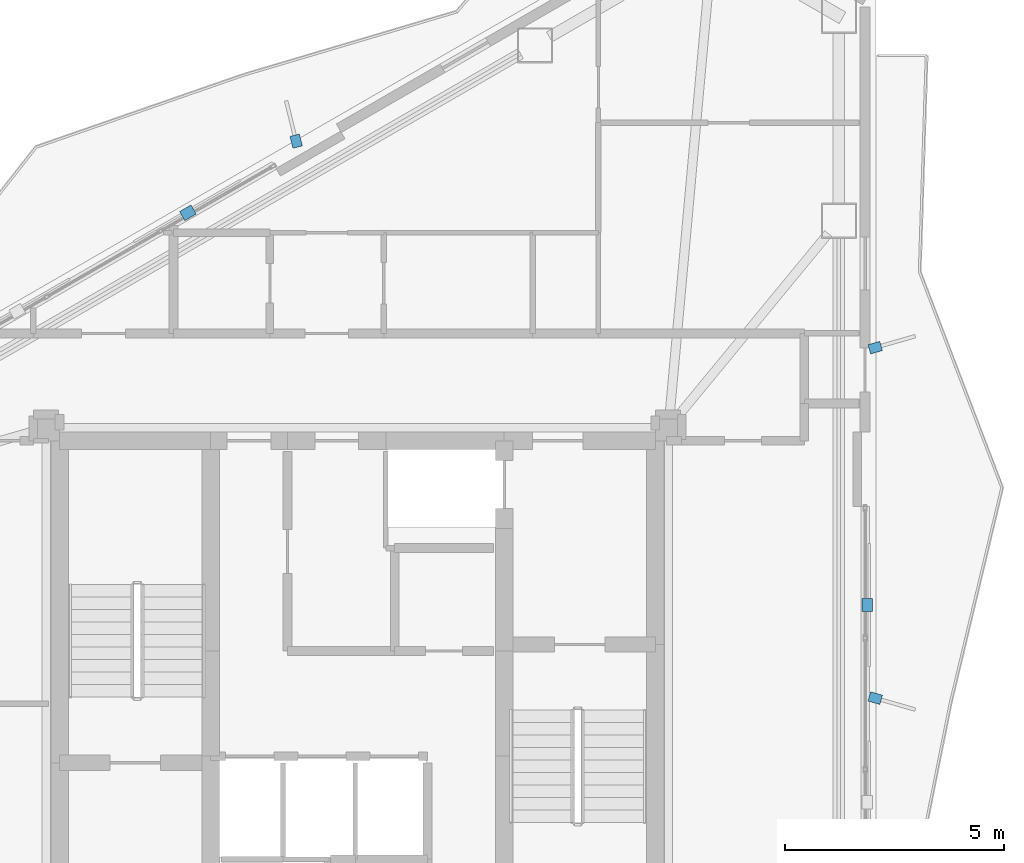
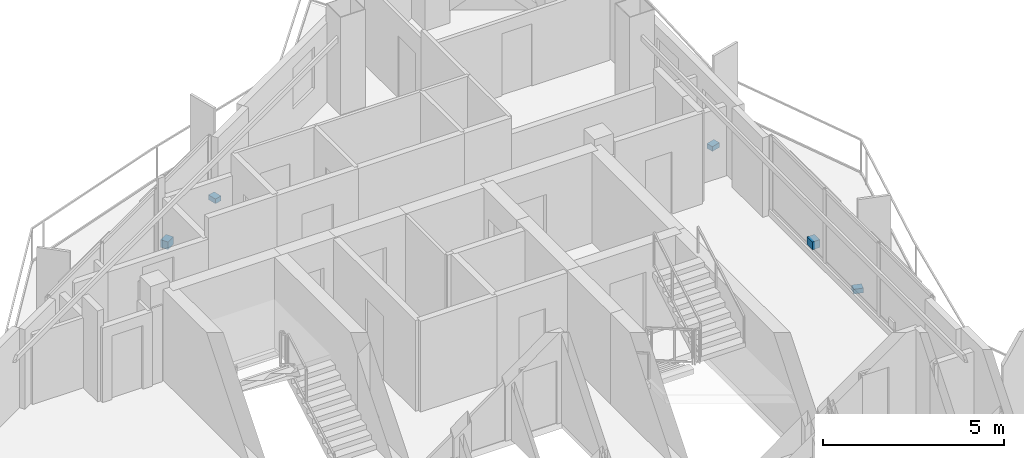
# One storey, part 20 of 22: 5 discrete accessories.
"""IFC4 building model written with IfcOpenShell, lengths in metres."""

from ifc_helpers import new_model, si_unit, direction, frame, origin, origin_2d, place, context, subcontext, project, spatial, rectangle, extrude, material, layer, layer_set, type_object, element, save


model = new_model("IFC4")

# Units and contexts
model_context = context("Model", 3, precision=1e-05, world=origin(), true_north=direction((0.0, 1.0)))
body_context = subcontext(model_context, "Body", "Model", "MODEL_VIEW")
ifc_project = project(units=[si_unit("LENGTHUNIT", "METRE"), si_unit("AREAUNIT", "SQUARE_METRE"), si_unit("VOLUMEUNIT", "CUBIC_METRE"), si_unit("PLANEANGLEUNIT", "RADIAN"), si_unit("MASSUNIT", "GRAM", prefix="KILO")], contexts=[model_context])

# Site, building, storey
site_placement = place(None, origin())
site = spatial("IfcSite", under=ifc_project, at=site_placement, CompositionType="ELEMENT")
building_placement = place(site_placement, origin())
building = spatial("IfcBuilding", under=site, at=building_placement, Name="Mersakhor Tower and Convention Hall", CompositionType="ELEMENT")
storey_placement = place(building_placement, frame((0.0, 0.0, 208.5)))
storey = spatial("IfcBuildingStorey", under=building, at=storey_placement, Name="L58", CompositionType="ELEMENT", Elevation=208.5)

# Discrete accessories
ifc_material = material(Name="Galvanised steel bracket", Category="steel")
ifc_layer = layer(ifc_material, 0.02001953125)
ifc_layer_set = layer_set([ifc_layer], Name="Galvanised steel bracket")
discrete_accessory_type = type_object("IfcDiscreteAccessoryType", Name="ACC-BRK-STL", PredefinedType="BRACKET", material=ifc_layer_set)
discrete_accessory_1_placement = place(storey_placement, frame((25.129150390625, 37.9541015625, 0.2900390625), z_axis=(0.0, 0.0, 1.0), x_axis=(0.866025403784, 0.5, 0.0)))
element("IfcDiscreteAccessory", 1, at=discrete_accessory_1_placement, inside=storey, type_object=discrete_accessory_type, Name="L58 Solar Screen Outrigger Bracket BRK-1-2", PredefinedType="BRACKET", context=body_context, shape_type="SweptSolid", body=[
    extrude(rectangle(XDim=0.300048828125, YDim=0.239990234375, at=origin_2d()), origin(), (0.0, 0.0, 1.0), 0.260009765625),
])
discrete_accessory_2_placement = place(storey_placement, frame((27.600341796875, 39.588623046875, -0.02001953125), z_axis=(0.0, 0.0, 1.0), x_axis=(-0.2419218956, 0.970295726276, 0.0)))
element("IfcDiscreteAccessory", 2, at=discrete_accessory_2_placement, inside=storey, type_object=discrete_accessory_type, Name="L58 Facade Fin Base Cleat Bracket FBRK-1-3", PredefinedType="BRACKET", context=body_context, shape_type="SweptSolid", body=[
    extrude(rectangle(XDim=0.280029296875, YDim=0.219970703125, at=origin_2d()), origin(), (0.0, 0.0, 1.0), 0.159912109375),
])
discrete_accessory_3_placement = place(storey_placement, frame((40.638427734375, 28.999755859375, 0.2900390625), z_axis=(0.0, 0.0, 1.0), x_axis=(0.0, -1.0, 0.0)))
element("IfcDiscreteAccessory", 3, at=discrete_accessory_3_placement, inside=storey, type_object=discrete_accessory_type, Name="L58 Solar Screen Outrigger Bracket BRK-2-1", PredefinedType="BRACKET", context=body_context, shape_type="SweptSolid", body=[
    extrude(rectangle(XDim=0.300048828125, YDim=0.239990234375, at=origin_2d()), origin(), (0.0, 0.0, 1.0), 0.260009765625),
])
for number, where, z_axis, x_axis, name in (
    (4, (40.818359375, 34.8759765625, -0.02001953125), (0.0, 0.0, 1.0), (0.961261695938, 0.275637355817, 0.0), "L58 Facade Fin Base Cleat Bracket FBRK-2-1"),
    (5, (40.818359375, 26.8759765625, -0.02001953125), (0.0, 0.0, 1.0), (0.961261695938, -0.275637355817, 0.0), "L58 Facade Fin Base Cleat Bracket FBRK-2-2"),
):
    element("IfcDiscreteAccessory", number, at=place(storey_placement, frame(where, z_axis=z_axis, x_axis=x_axis)), inside=storey, type_object=discrete_accessory_type, Name=name, PredefinedType="BRACKET", context=body_context, shape_type="SweptSolid", body=[
        extrude(rectangle(XDim=0.280029296875, YDim=0.219970703125, at=origin_2d()), origin(), (0.0, 0.0, 1.0), 0.159912109375),
    ])

save(model, "model.ifc")
